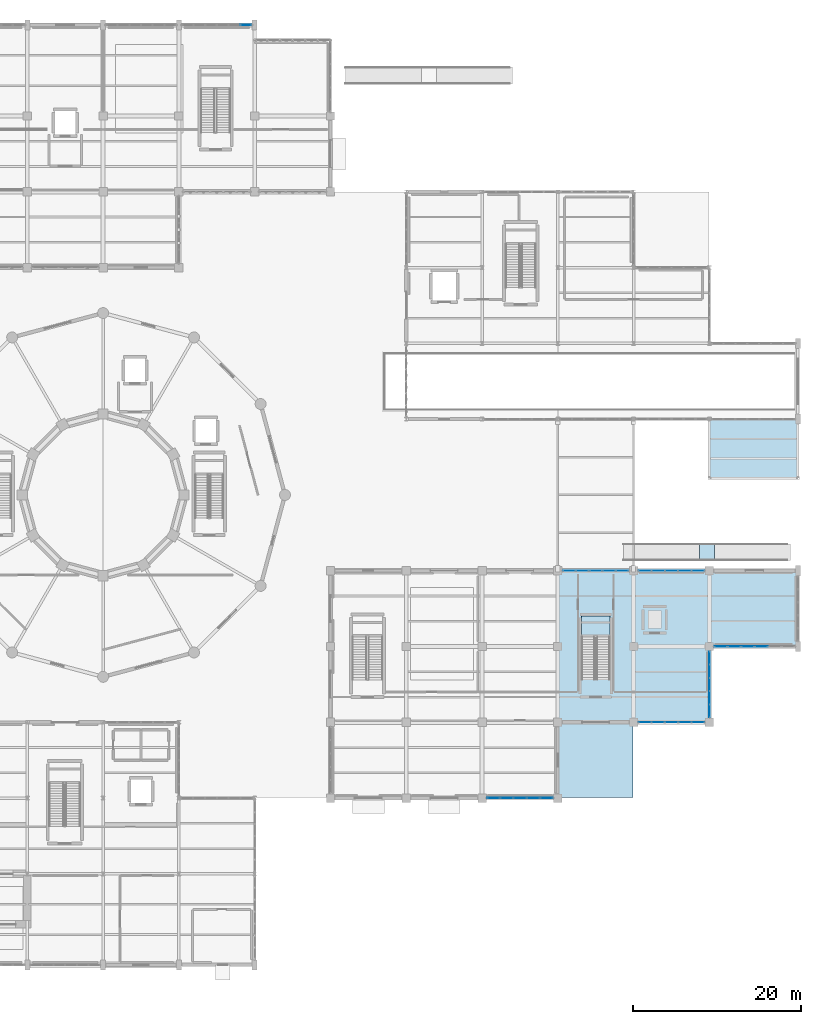
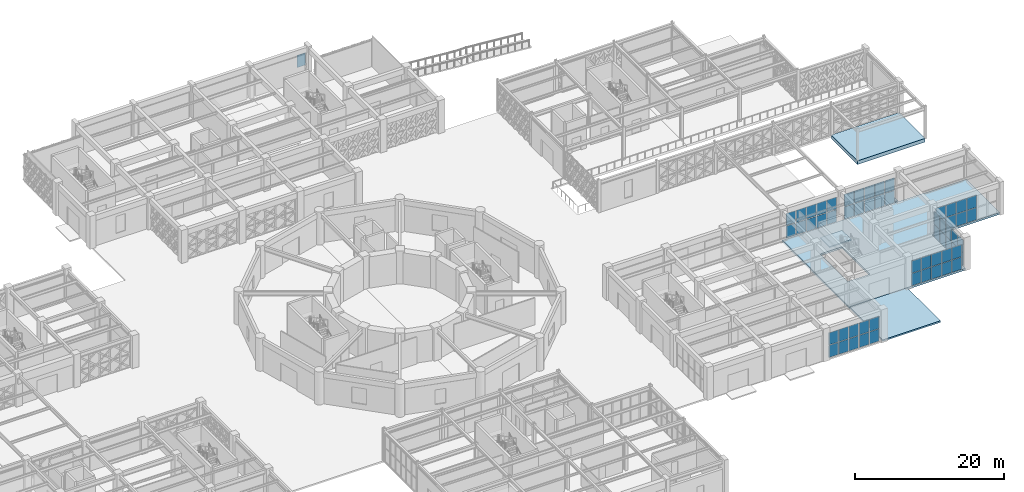
# One storey, part 110 of 140: 59 plates, 5 slabs, 9 elements without a shape of their own.
"""IFC4 building model written with IfcOpenShell, lengths in metres."""

from ifc_helpers import new_model, si_unit, direction, frame, origin, origin_2d, place, context, subcontext, project, spatial, polyline, rectangle, outline, extrude, material, layer, layer_set, type_object, element, aggregate, save


model = new_model("IFC4")

# Units and contexts
model_context = context("Model", 3, precision=1e-05, world=origin(), true_north=direction((0.0, 1.0)))
body_context = subcontext(model_context, "Body", "Model", "MODEL_VIEW")
ifc_project = project(units=[si_unit("LENGTHUNIT", "METRE"), si_unit("AREAUNIT", "SQUARE_METRE"), si_unit("VOLUMEUNIT", "CUBIC_METRE"), si_unit("PLANEANGLEUNIT", "RADIAN"), si_unit("MASSUNIT", "GRAM", prefix="KILO")], contexts=[model_context])

# Site, building, storey
site_placement = place(None, origin())
site = spatial("IfcSite", under=ifc_project, at=site_placement, CompositionType="ELEMENT")
building_placement = place(site_placement, origin())
building = spatial("IfcBuilding", under=site, at=building_placement, Name="Haizhuo Lancet Aquarium", CompositionType="ELEMENT")
storey_placement = place(building_placement, origin())
storey = spatial("IfcBuildingStorey", under=building, at=storey_placement, Name="L00", CompositionType="ELEMENT", Elevation=0.0)

# Curtain wall, plates
ifc_material_1 = material(Name="Aluminium 6063-T6", Category="aluminium")
curtain_wall_type_1 = type_object("IfcCurtainWallType", Name="CWO-9610x4220", PredefinedType="NOTDEFINED", material=ifc_material_1)
curtain_wall_1_placement = place(storey_placement, origin())
curtain_wall_1 = element("IfcCurtainWall", 1, at=curtain_wall_1_placement, inside=storey, type_object=curtain_wall_type_1, Name="L00 curtain wall CW-V3-L00-033", PredefinedType="NOTDEFINED")
ifc_material_2 = material(Name="Laminated Low-E Glass", Category="glass")
ifc_layer_1 = layer(ifc_material_2, 0.028076171875)
ifc_layer_set_1 = layer_set([ifc_layer_1], Name="Laminated Low-E Glass")
plate_type_1 = type_object("IfcPlateType", Name="CW-PNL-1", PredefinedType="CURTAIN_PANEL", material=ifc_layer_set_1)
plate_1_placement = place(storey_placement, frame((78.15087890625, -18.0, 0.080078125), z_axis=(0.0, 0.0, 1.0), x_axis=(-1.0, 0.0, 0.0)))
plate_1 = element("IfcPlate", 2, at=plate_1_placement, type_object=plate_type_1, Name="CWO-96x42 panel 3.1", PredefinedType="CURTAIN_PANEL", context=body_context, shape_type="SweptSolid", body=[
    extrude(rectangle(XDim=1.52197265625, YDim=0.028076171875, at=origin_2d()), origin(), (0.0, 0.0, 1.0), 1.989990234375),
])
plate_2_placement = place(storey_placement, frame((78.15087890625, -18.0, 2.14990234375), z_axis=(0.0, 0.0, 1.0), x_axis=(-1.0, 0.0, 0.0)))
plate_2 = element("IfcPlate", 3, at=plate_2_placement, type_object=plate_type_1, Name="CWO-96x42 panel 3.2", PredefinedType="CURTAIN_PANEL", context=body_context, shape_type="SweptSolid", body=[
    extrude(rectangle(XDim=1.52197265625, YDim=0.028076171875, at=origin_2d()), origin(), (0.0, 0.0, 1.0), 1.989990234375),
])
plate_3_placement = place(storey_placement, frame((76.549072265625, -18.0, 0.080078125), z_axis=(0.0, 0.0, 1.0), x_axis=(-1.0, 0.0, 0.0)))
plate_3 = element("IfcPlate", 4, at=plate_3_placement, type_object=plate_type_1, Name="CWO-96x42 panel 4.1", PredefinedType="CURTAIN_PANEL", context=body_context, shape_type="SweptSolid", body=[
    extrude(rectangle(XDim=1.52197265625, YDim=0.028076171875, at=origin_2d()), origin(), (0.0, 0.0, 1.0), 1.989990234375),
])
plate_4_placement = place(storey_placement, frame((76.549072265625, -18.0, 2.14990234375), z_axis=(0.0, 0.0, 1.0), x_axis=(-1.0, 0.0, 0.0)))
plate_4 = element("IfcPlate", 5, at=plate_4_placement, type_object=plate_type_1, Name="CWO-96x42 panel 4.2", PredefinedType="CURTAIN_PANEL", context=body_context, shape_type="SweptSolid", body=[
    extrude(rectangle(XDim=1.52197265625, YDim=0.028076171875, at=origin_2d()), origin(), (0.0, 0.0, 1.0), 1.989990234375),
])
plate_5_placement = place(storey_placement, frame((74.947998046875, -18.0, 0.080078125), z_axis=(0.0, 0.0, 1.0), x_axis=(-1.0, 0.0, 0.0)))
plate_5 = element("IfcPlate", 6, at=plate_5_placement, type_object=plate_type_1, Name="CWO-96x42 panel 5.1", PredefinedType="CURTAIN_PANEL", context=body_context, shape_type="SweptSolid", body=[
    extrude(rectangle(XDim=1.52197265625, YDim=0.028076171875, at=origin_2d()), origin(), (0.0, 0.0, 1.0), 1.989990234375),
])
plate_6_placement = place(storey_placement, frame((74.947998046875, -18.0, 2.14990234375), z_axis=(0.0, 0.0, 1.0), x_axis=(-1.0, 0.0, 0.0)))
plate_6 = element("IfcPlate", 7, at=plate_6_placement, type_object=plate_type_1, Name="CWO-96x42 panel 5.2", PredefinedType="CURTAIN_PANEL", context=body_context, shape_type="SweptSolid", body=[
    extrude(rectangle(XDim=1.52197265625, YDim=0.028076171875, at=origin_2d()), origin(), (0.0, 0.0, 1.0), 1.989990234375),
])
plate_7_placement = place(storey_placement, frame((73.365966796875, -18.0, 0.080078125), z_axis=(0.0, 0.0, 1.0), x_axis=(-1.0, 0.0, 0.0)))
plate_7 = element("IfcPlate", 8, at=plate_7_placement, type_object=plate_type_1, Name="CWO-96x42 panel 6.1", PredefinedType="CURTAIN_PANEL", context=body_context, shape_type="SweptSolid", body=[
    extrude(rectangle(XDim=1.48193359375, YDim=0.028076171875, at=origin_2d()), origin(), (0.0, 0.0, 1.0), 1.989990234375),
])
plate_8_placement = place(storey_placement, frame((73.365966796875, -18.0, 2.14990234375), z_axis=(0.0, 0.0, 1.0), x_axis=(-1.0, 0.0, 0.0)))
plate_8 = element("IfcPlate", 9, at=plate_8_placement, type_object=plate_type_1, Name="CWO-96x42 panel 6.2", PredefinedType="CURTAIN_PANEL", context=body_context, shape_type="SweptSolid", body=[
    extrude(rectangle(XDim=1.48193359375, YDim=0.028076171875, at=origin_2d()), origin(), (0.0, 0.0, 1.0), 1.989990234375),
])
aggregate(curtain_wall_1, [plate_1, plate_2, plate_3, plate_4, plate_5, plate_6, plate_7, plate_8])

curtain_wall_type_2 = type_object("IfcCurtainWallType", Name="CWO-7910x4220", PredefinedType="NOTDEFINED", material=ifc_material_1)
curtain_wall_2_placement = place(storey_placement, origin())
curtain_wall_2 = element("IfcCurtainWall", 10, at=curtain_wall_2_placement, inside=storey, type_object=curtain_wall_type_2, Name="L00 curtain wall CW-V3-L00-030", PredefinedType="NOTDEFINED")
ifc_layer_2 = layer(ifc_material_2, 0.033935546875)
ifc_layer_set_2 = layer_set([ifc_layer_2], Name="Laminated Low-E Glass")
plate_type_2 = type_object("IfcPlateType", Name="CW-PNL-2", PredefinedType="CURTAIN_PANEL", material=ifc_layer_set_2)
plate_9_placement = place(storey_placement, frame((55.35595703125, -9.0, 0.080078125), z_axis=(0.0, 0.0, 1.0), x_axis=(1.0, 0.0, 0.0)))
plate_9 = element("IfcPlate", 11, at=plate_9_placement, type_object=plate_type_2, Name="CWO-79x42 panel 1.1", PredefinedType="CURTAIN_PANEL", context=body_context, shape_type="SweptSolid", body=[
    extrude(rectangle(XDim=1.4619140625, YDim=0.033935546875, at=origin_2d()), origin(), (0.0, 0.0, 1.0), 1.989990234375),
])
plate_10_placement = place(storey_placement, frame((55.35595703125, -9.0, 2.14990234375), z_axis=(0.0, 0.0, 1.0), x_axis=(1.0, 0.0, 0.0)))
plate_10 = element("IfcPlate", 12, at=plate_10_placement, type_object=plate_type_2, Name="CWO-79x42 panel 1.2", PredefinedType="CURTAIN_PANEL", context=body_context, shape_type="SweptSolid", body=[
    extrude(rectangle(XDim=1.4619140625, YDim=0.033935546875, at=origin_2d()), origin(), (0.0, 0.0, 1.0), 1.989990234375),
])
plate_11_placement = place(storey_placement, frame((56.91796875, -9.0, 0.080078125), z_axis=(0.0, 0.0, 1.0), x_axis=(1.0, 0.0, 0.0)))
plate_11 = element("IfcPlate", 13, at=plate_11_placement, type_object=plate_type_2, Name="CWO-79x42 panel 2.1", PredefinedType="CURTAIN_PANEL", context=body_context, shape_type="SweptSolid", body=[
    extrude(rectangle(XDim=1.501953125, YDim=0.033935546875, at=origin_2d()), origin(), (0.0, 0.0, 1.0), 1.989990234375),
])
plate_12_placement = place(storey_placement, frame((56.91796875, -9.0, 2.14990234375), z_axis=(0.0, 0.0, 1.0), x_axis=(1.0, 0.0, 0.0)))
plate_12 = element("IfcPlate", 14, at=plate_12_placement, type_object=plate_type_2, Name="CWO-79x42 panel 2.2", PredefinedType="CURTAIN_PANEL", context=body_context, shape_type="SweptSolid", body=[
    extrude(rectangle(XDim=1.501953125, YDim=0.033935546875, at=origin_2d()), origin(), (0.0, 0.0, 1.0), 1.989990234375),
])
plate_13_placement = place(storey_placement, frame((58.5, -9.0, 0.080078125), z_axis=(0.0, 0.0, 1.0), x_axis=(1.0, 0.0, 0.0)))
plate_13 = element("IfcPlate", 15, at=plate_13_placement, type_object=plate_type_2, Name="CWO-79x42 panel 3.1", PredefinedType="CURTAIN_PANEL", context=body_context, shape_type="SweptSolid", body=[
    extrude(rectangle(XDim=1.501953125, YDim=0.033935546875, at=origin_2d()), origin(), (0.0, 0.0, 1.0), 1.989990234375),
])
plate_14_placement = place(storey_placement, frame((58.5, -9.0, 2.14990234375), z_axis=(0.0, 0.0, 1.0), x_axis=(1.0, 0.0, 0.0)))
plate_14 = element("IfcPlate", 16, at=plate_14_placement, type_object=plate_type_2, Name="CWO-79x42 panel 3.2", PredefinedType="CURTAIN_PANEL", context=body_context, shape_type="SweptSolid", body=[
    extrude(rectangle(XDim=1.501953125, YDim=0.033935546875, at=origin_2d()), origin(), (0.0, 0.0, 1.0), 1.989990234375),
])
plate_15_placement = place(storey_placement, frame((60.08203125, -9.0, 0.080078125), z_axis=(0.0, 0.0, 1.0), x_axis=(1.0, 0.0, 0.0)))
plate_15 = element("IfcPlate", 17, at=plate_15_placement, type_object=plate_type_2, Name="CWO-79x42 panel 4.1", PredefinedType="CURTAIN_PANEL", context=body_context, shape_type="SweptSolid", body=[
    extrude(rectangle(XDim=1.501953125, YDim=0.033935546875, at=origin_2d()), origin(), (0.0, 0.0, 1.0), 1.989990234375),
])
plate_16_placement = place(storey_placement, frame((60.08203125, -9.0, 2.14990234375), z_axis=(0.0, 0.0, 1.0), x_axis=(1.0, 0.0, 0.0)))
plate_16 = element("IfcPlate", 18, at=plate_16_placement, type_object=plate_type_2, Name="CWO-79x42 panel 4.2", PredefinedType="CURTAIN_PANEL", context=body_context, shape_type="SweptSolid", body=[
    extrude(rectangle(XDim=1.501953125, YDim=0.033935546875, at=origin_2d()), origin(), (0.0, 0.0, 1.0), 1.989990234375),
])
plate_17_placement = place(storey_placement, frame((61.64404296875, -9.0, 0.080078125), z_axis=(0.0, 0.0, 1.0), x_axis=(1.0, 0.0, 0.0)))
plate_17 = element("IfcPlate", 19, at=plate_17_placement, type_object=plate_type_2, Name="CWO-79x42 panel 5.1", PredefinedType="CURTAIN_PANEL", context=body_context, shape_type="SweptSolid", body=[
    extrude(rectangle(XDim=1.4619140625, YDim=0.033935546875, at=origin_2d()), origin(), (0.0, 0.0, 1.0), 1.989990234375),
])
plate_18_placement = place(storey_placement, frame((61.64404296875, -9.0, 2.14990234375), z_axis=(0.0, 0.0, 1.0), x_axis=(1.0, 0.0, 0.0)))
plate_18 = element("IfcPlate", 20, at=plate_18_placement, type_object=plate_type_2, Name="CWO-79x42 panel 5.2", PredefinedType="CURTAIN_PANEL", context=body_context, shape_type="SweptSolid", body=[
    extrude(rectangle(XDim=1.4619140625, YDim=0.033935546875, at=origin_2d()), origin(), (0.0, 0.0, 1.0), 1.989990234375),
])
aggregate(curtain_wall_2, [plate_9, plate_10, plate_11, plate_12, plate_13, plate_14, plate_15, plate_16, plate_17, plate_18])

curtain_wall_type_3 = type_object("IfcCurtainWallType", Name="CWO-7910x4270", PredefinedType="NOTDEFINED", material=ifc_material_1)
curtain_wall_3_placement = place(storey_placement, origin())
curtain_wall_3 = element("IfcCurtainWall", 21, at=curtain_wall_3_placement, inside=storey, type_object=curtain_wall_type_3, Name="L00 curtain wall CW-V3-L00-034", PredefinedType="NOTDEFINED")
plate_19_placement = place(storey_placement, frame((72.0, -19.35205078125, 0.0654296875), z_axis=(0.0, 0.0, 1.0), x_axis=(0.0, -1.0, 0.0)))
plate_19 = element("IfcPlate", 22, at=plate_19_placement, type_object=plate_type_2, Name="CWO-79x42 panel 1.1", PredefinedType="CURTAIN_PANEL", context=body_context, shape_type="SweptSolid", body=[
    extrude(rectangle(XDim=1.48388671875, YDim=0.033935546875, at=origin_2d()), origin(), (0.0, 0.0, 1.0), 2.037109375),
])
plate_20_placement = place(storey_placement, frame((72.0, -19.35205078125, 2.1669921875), z_axis=(0.0, 0.0, 1.0), x_axis=(0.0, -1.0, 0.0)))
plate_20 = element("IfcPlate", 23, at=plate_20_placement, type_object=plate_type_2, Name="CWO-79x42 panel 1.2", PredefinedType="CURTAIN_PANEL", context=body_context, shape_type="SweptSolid", body=[
    extrude(rectangle(XDim=1.48388671875, YDim=0.033935546875, at=origin_2d()), origin(), (0.0, 0.0, 1.0), 2.0380859375),
])
plate_21_placement = place(storey_placement, frame((72.0, -20.91796875, 0.0654296875), z_axis=(0.0, 0.0, 1.0), x_axis=(0.0, -1.0, 0.0)))
plate_21 = element("IfcPlate", 24, at=plate_21_placement, type_object=plate_type_2, Name="CWO-79x42 panel 2.1", PredefinedType="CURTAIN_PANEL", context=body_context, shape_type="SweptSolid", body=[
    extrude(rectangle(XDim=1.51708984375, YDim=0.033935546875, at=origin_2d()), origin(), (0.0, 0.0, 1.0), 2.037109375),
])
plate_22_placement = place(storey_placement, frame((72.0, -20.91796875, 2.1669921875), z_axis=(0.0, 0.0, 1.0), x_axis=(0.0, -1.0, 0.0)))
plate_22 = element("IfcPlate", 25, at=plate_22_placement, type_object=plate_type_2, Name="CWO-79x42 panel 2.2", PredefinedType="CURTAIN_PANEL", context=body_context, shape_type="SweptSolid", body=[
    extrude(rectangle(XDim=1.51708984375, YDim=0.033935546875, at=origin_2d()), origin(), (0.0, 0.0, 1.0), 2.0380859375),
])
plate_23_placement = place(storey_placement, frame((72.0, -22.5, 0.0654296875), z_axis=(0.0, 0.0, 1.0), x_axis=(0.0, -1.0, 0.0)))
plate_23 = element("IfcPlate", 26, at=plate_23_placement, type_object=plate_type_2, Name="CWO-79x42 panel 3.1", PredefinedType="CURTAIN_PANEL", context=body_context, shape_type="SweptSolid", body=[
    extrude(rectangle(XDim=1.51708984375, YDim=0.033935546875, at=origin_2d()), origin(), (0.0, 0.0, 1.0), 2.037109375),
])
plate_24_placement = place(storey_placement, frame((72.0, -22.5, 2.1669921875), z_axis=(0.0, 0.0, 1.0), x_axis=(0.0, -1.0, 0.0)))
plate_24 = element("IfcPlate", 27, at=plate_24_placement, type_object=plate_type_2, Name="CWO-79x42 panel 3.2", PredefinedType="CURTAIN_PANEL", context=body_context, shape_type="SweptSolid", body=[
    extrude(rectangle(XDim=1.51708984375, YDim=0.033935546875, at=origin_2d()), origin(), (0.0, 0.0, 1.0), 2.0380859375),
])
plate_25_placement = place(storey_placement, frame((72.0, -24.08203125, 0.0654296875), z_axis=(0.0, 0.0, 1.0), x_axis=(0.0, -1.0, 0.0)))
plate_25 = element("IfcPlate", 28, at=plate_25_placement, type_object=plate_type_2, Name="CWO-79x42 panel 4.1", PredefinedType="CURTAIN_PANEL", context=body_context, shape_type="SweptSolid", body=[
    extrude(rectangle(XDim=1.51708984375, YDim=0.033935546875, at=origin_2d()), origin(), (0.0, 0.0, 1.0), 2.037109375),
])
plate_26_placement = place(storey_placement, frame((72.0, -24.08203125, 2.1669921875), z_axis=(0.0, 0.0, 1.0), x_axis=(0.0, -1.0, 0.0)))
plate_26 = element("IfcPlate", 29, at=plate_26_placement, type_object=plate_type_2, Name="CWO-79x42 panel 4.2", PredefinedType="CURTAIN_PANEL", context=body_context, shape_type="SweptSolid", body=[
    extrude(rectangle(XDim=1.51708984375, YDim=0.033935546875, at=origin_2d()), origin(), (0.0, 0.0, 1.0), 2.0380859375),
])
plate_27_placement = place(storey_placement, frame((72.0, -25.64794921875, 0.0654296875), z_axis=(0.0, 0.0, 1.0), x_axis=(0.0, -1.0, 0.0)))
plate_27 = element("IfcPlate", 30, at=plate_27_placement, type_object=plate_type_2, Name="CWO-79x42 panel 5.1", PredefinedType="CURTAIN_PANEL", context=body_context, shape_type="SweptSolid", body=[
    extrude(rectangle(XDim=1.48388671875, YDim=0.033935546875, at=origin_2d()), origin(), (0.0, 0.0, 1.0), 2.037109375),
])
plate_28_placement = place(storey_placement, frame((72.0, -25.64794921875, 2.1669921875), z_axis=(0.0, 0.0, 1.0), x_axis=(0.0, -1.0, 0.0)))
plate_28 = element("IfcPlate", 31, at=plate_28_placement, type_object=plate_type_2, Name="CWO-79x42 panel 5.2", PredefinedType="CURTAIN_PANEL", context=body_context, shape_type="SweptSolid", body=[
    extrude(rectangle(XDim=1.48388671875, YDim=0.033935546875, at=origin_2d()), origin(), (0.0, 0.0, 1.0), 2.0380859375),
])
aggregate(curtain_wall_3, [plate_19, plate_20, plate_21, plate_22, plate_23, plate_24, plate_25, plate_26, plate_27, plate_28])

curtain_wall_4_placement = place(storey_placement, origin())
curtain_wall_4 = element("IfcCurtainWall", 32, at=curtain_wall_4_placement, inside=storey, type_object=curtain_wall_type_2, Name="L00 curtain wall CW-V3-L00-031", PredefinedType="NOTDEFINED")
ifc_layer_3 = layer(ifc_material_2, 0.0419921875)
ifc_layer_set_3 = layer_set([ifc_layer_3], Name="Laminated Low-E Glass")
plate_type_3 = type_object("IfcPlateType", Name="CW-PNL-3", PredefinedType="CURTAIN_PANEL", material=ifc_layer_set_3)
plate_29_placement = place(storey_placement, frame((64.35205078125, -9.0, 0.06494140625), z_axis=(0.0, 0.0, 1.0), x_axis=(1.0, 0.0, 0.0)))
plate_29 = element("IfcPlate", 33, at=plate_29_placement, type_object=plate_type_3, Name="CWO-79x42 panel 1.1", PredefinedType="CURTAIN_PANEL", context=body_context, shape_type="SweptSolid", body=[
    extrude(rectangle(XDim=1.48388671875, YDim=0.0419921875, at=origin_2d()), origin(), (0.0, 0.0, 1.0), 2.011962890625),
])
plate_30_placement = place(storey_placement, frame((64.35205078125, -9.0, 2.142578125), z_axis=(0.0, 0.0, 1.0), x_axis=(1.0, 0.0, 0.0)))
plate_30 = element("IfcPlate", 34, at=plate_30_placement, type_object=plate_type_3, Name="CWO-79x42 panel 1.2", PredefinedType="CURTAIN_PANEL", context=body_context, shape_type="SweptSolid", body=[
    extrude(rectangle(XDim=1.48388671875, YDim=0.0419921875, at=origin_2d()), origin(), (0.0, 0.0, 1.0), 2.012939453125),
])
plate_31_placement = place(storey_placement, frame((65.91796875, -9.0, 0.06494140625), z_axis=(0.0, 0.0, 1.0), x_axis=(1.0, 0.0, 0.0)))
plate_31 = element("IfcPlate", 35, at=plate_31_placement, type_object=plate_type_3, Name="CWO-79x42 panel 2.1", PredefinedType="CURTAIN_PANEL", context=body_context, shape_type="SweptSolid", body=[
    extrude(rectangle(XDim=1.51708984375, YDim=0.0419921875, at=origin_2d()), origin(), (0.0, 0.0, 1.0), 2.011962890625),
])
plate_32_placement = place(storey_placement, frame((65.91796875, -9.0, 2.142578125), z_axis=(0.0, 0.0, 1.0), x_axis=(1.0, 0.0, 0.0)))
plate_32 = element("IfcPlate", 36, at=plate_32_placement, type_object=plate_type_3, Name="CWO-79x42 panel 2.2", PredefinedType="CURTAIN_PANEL", context=body_context, shape_type="SweptSolid", body=[
    extrude(rectangle(XDim=1.51708984375, YDim=0.0419921875, at=origin_2d()), origin(), (0.0, 0.0, 1.0), 2.012939453125),
])
plate_33_placement = place(storey_placement, frame((67.5, -9.0, 0.06494140625), z_axis=(0.0, 0.0, 1.0), x_axis=(1.0, 0.0, 0.0)))
plate_33 = element("IfcPlate", 37, at=plate_33_placement, type_object=plate_type_3, Name="CWO-79x42 panel 3.1", PredefinedType="CURTAIN_PANEL", context=body_context, shape_type="SweptSolid", body=[
    extrude(rectangle(XDim=1.51708984375, YDim=0.0419921875, at=origin_2d()), origin(), (0.0, 0.0, 1.0), 2.011962890625),
])
plate_34_placement = place(storey_placement, frame((67.5, -9.0, 2.142578125), z_axis=(0.0, 0.0, 1.0), x_axis=(1.0, 0.0, 0.0)))
plate_34 = element("IfcPlate", 38, at=plate_34_placement, type_object=plate_type_3, Name="CWO-79x42 panel 3.2", PredefinedType="CURTAIN_PANEL", context=body_context, shape_type="SweptSolid", body=[
    extrude(rectangle(XDim=1.51708984375, YDim=0.0419921875, at=origin_2d()), origin(), (0.0, 0.0, 1.0), 2.012939453125),
])
plate_35_placement = place(storey_placement, frame((69.08203125, -9.0, 0.06494140625), z_axis=(0.0, 0.0, 1.0), x_axis=(1.0, 0.0, 0.0)))
plate_35 = element("IfcPlate", 39, at=plate_35_placement, type_object=plate_type_3, Name="CWO-79x42 panel 4.1", PredefinedType="CURTAIN_PANEL", context=body_context, shape_type="SweptSolid", body=[
    extrude(rectangle(XDim=1.51708984375, YDim=0.0419921875, at=origin_2d()), origin(), (0.0, 0.0, 1.0), 2.011962890625),
])
plate_36_placement = place(storey_placement, frame((69.08203125, -9.0, 2.142578125), z_axis=(0.0, 0.0, 1.0), x_axis=(1.0, 0.0, 0.0)))
plate_36 = element("IfcPlate", 40, at=plate_36_placement, type_object=plate_type_3, Name="CWO-79x42 panel 4.2", PredefinedType="CURTAIN_PANEL", context=body_context, shape_type="SweptSolid", body=[
    extrude(rectangle(XDim=1.51708984375, YDim=0.0419921875, at=origin_2d()), origin(), (0.0, 0.0, 1.0), 2.012939453125),
])
plate_37_placement = place(storey_placement, frame((70.64794921875, -9.0, 0.06494140625), z_axis=(0.0, 0.0, 1.0), x_axis=(1.0, 0.0, 0.0)))
plate_37 = element("IfcPlate", 41, at=plate_37_placement, type_object=plate_type_3, Name="CWO-79x42 panel 5.1", PredefinedType="CURTAIN_PANEL", context=body_context, shape_type="SweptSolid", body=[
    extrude(rectangle(XDim=1.48388671875, YDim=0.0419921875, at=origin_2d()), origin(), (0.0, 0.0, 1.0), 2.011962890625),
])
plate_38_placement = place(storey_placement, frame((70.64794921875, -9.0, 2.142578125), z_axis=(0.0, 0.0, 1.0), x_axis=(1.0, 0.0, 0.0)))
plate_38 = element("IfcPlate", 42, at=plate_38_placement, type_object=plate_type_3, Name="CWO-79x42 panel 5.2", PredefinedType="CURTAIN_PANEL", context=body_context, shape_type="SweptSolid", body=[
    extrude(rectangle(XDim=1.48388671875, YDim=0.0419921875, at=origin_2d()), origin(), (0.0, 0.0, 1.0), 2.012939453125),
])
aggregate(curtain_wall_4, [plate_29, plate_30, plate_31, plate_32, plate_33, plate_34, plate_35, plate_36, plate_37, plate_38])

curtain_wall_5_placement = place(storey_placement, origin())
curtain_wall_5 = element("IfcCurtainWall", 43, at=curtain_wall_5_placement, inside=storey, type_object=curtain_wall_type_2, Name="L00 curtain wall CW-V3-L00-035", PredefinedType="NOTDEFINED")
plate_39_placement = place(storey_placement, frame((70.64501953125, -27.0, 0.075439453125), z_axis=(0.0, 0.0, 1.0), x_axis=(-1.0, 0.0, 0.0)))
plate_39 = element("IfcPlate", 44, at=plate_39_placement, type_object=plate_type_3, Name="CWO-79x42 panel 1.1", PredefinedType="CURTAIN_PANEL", context=body_context, shape_type="SweptSolid", body=[
    extrude(rectangle(XDim=1.468994140625, YDim=0.0419921875, at=origin_2d()), origin(), (0.0, 0.0, 1.0), 1.9970703125),
])
plate_40_placement = place(storey_placement, frame((70.64501953125, -27.0, 2.14697265625), z_axis=(0.0, 0.0, 1.0), x_axis=(-1.0, 0.0, 0.0)))
plate_40 = element("IfcPlate", 45, at=plate_40_placement, type_object=plate_type_3, Name="CWO-79x42 panel 1.2", PredefinedType="CURTAIN_PANEL", context=body_context, shape_type="SweptSolid", body=[
    extrude(rectangle(XDim=1.468994140625, YDim=0.0419921875, at=origin_2d()), origin(), (0.0, 0.0, 1.0), 1.998046875),
])
plate_41_placement = place(storey_placement, frame((69.08203125, -27.0, 0.075439453125), z_axis=(0.0, 0.0, 1.0), x_axis=(-1.0, 0.0, 0.0)))
plate_41 = element("IfcPlate", 46, at=plate_41_placement, type_object=plate_type_3, Name="CWO-79x42 panel 2.1", PredefinedType="CURTAIN_PANEL", context=body_context, shape_type="SweptSolid", body=[
    extrude(rectangle(XDim=1.507080078125, YDim=0.0419921875, at=origin_2d()), origin(), (0.0, 0.0, 1.0), 1.9970703125),
])
plate_42_placement = place(storey_placement, frame((69.08203125, -27.0, 2.14697265625), z_axis=(0.0, 0.0, 1.0), x_axis=(-1.0, 0.0, 0.0)))
plate_42 = element("IfcPlate", 47, at=plate_42_placement, type_object=plate_type_3, Name="CWO-79x42 panel 2.2", PredefinedType="CURTAIN_PANEL", context=body_context, shape_type="SweptSolid", body=[
    extrude(rectangle(XDim=1.507080078125, YDim=0.0419921875, at=origin_2d()), origin(), (0.0, 0.0, 1.0), 1.998046875),
])
plate_43_placement = place(storey_placement, frame((67.5, -27.0, 0.075439453125), z_axis=(0.0, 0.0, 1.0), x_axis=(-1.0, 0.0, 0.0)))
plate_43 = element("IfcPlate", 48, at=plate_43_placement, type_object=plate_type_3, Name="CWO-79x42 panel 3.1", PredefinedType="CURTAIN_PANEL", context=body_context, shape_type="SweptSolid", body=[
    extrude(rectangle(XDim=1.507080078125, YDim=0.0419921875, at=origin_2d()), origin(), (0.0, 0.0, 1.0), 1.9970703125),
])
plate_44_placement = place(storey_placement, frame((67.5, -27.0, 2.14697265625), z_axis=(0.0, 0.0, 1.0), x_axis=(-1.0, 0.0, 0.0)))
plate_44 = element("IfcPlate", 49, at=plate_44_placement, type_object=plate_type_3, Name="CWO-79x42 panel 3.2", PredefinedType="CURTAIN_PANEL", context=body_context, shape_type="SweptSolid", body=[
    extrude(rectangle(XDim=1.507080078125, YDim=0.0419921875, at=origin_2d()), origin(), (0.0, 0.0, 1.0), 1.998046875),
])
plate_45_placement = place(storey_placement, frame((65.91796875, -27.0, 0.075439453125), z_axis=(0.0, 0.0, 1.0), x_axis=(-1.0, 0.0, 0.0)))
plate_45 = element("IfcPlate", 50, at=plate_45_placement, type_object=plate_type_3, Name="CWO-79x42 panel 4.1", PredefinedType="CURTAIN_PANEL", context=body_context, shape_type="SweptSolid", body=[
    extrude(rectangle(XDim=1.507080078125, YDim=0.0419921875, at=origin_2d()), origin(), (0.0, 0.0, 1.0), 1.9970703125),
])
plate_46_placement = place(storey_placement, frame((65.91796875, -27.0, 2.14697265625), z_axis=(0.0, 0.0, 1.0), x_axis=(-1.0, 0.0, 0.0)))
plate_46 = element("IfcPlate", 51, at=plate_46_placement, type_object=plate_type_3, Name="CWO-79x42 panel 4.2", PredefinedType="CURTAIN_PANEL", context=body_context, shape_type="SweptSolid", body=[
    extrude(rectangle(XDim=1.507080078125, YDim=0.0419921875, at=origin_2d()), origin(), (0.0, 0.0, 1.0), 1.998046875),
])
plate_47_placement = place(storey_placement, frame((64.35498046875, -27.0, 0.075439453125), z_axis=(0.0, 0.0, 1.0), x_axis=(-1.0, 0.0, 0.0)))
plate_47 = element("IfcPlate", 52, at=plate_47_placement, type_object=plate_type_3, Name="CWO-79x42 panel 5.1", PredefinedType="CURTAIN_PANEL", context=body_context, shape_type="SweptSolid", body=[
    extrude(rectangle(XDim=1.469970703125, YDim=0.0419921875, at=origin_2d()), origin(), (0.0, 0.0, 1.0), 1.9970703125),
])
plate_48_placement = place(storey_placement, frame((64.35498046875, -27.0, 2.14697265625), z_axis=(0.0, 0.0, 1.0), x_axis=(-1.0, 0.0, 0.0)))
plate_48 = element("IfcPlate", 53, at=plate_48_placement, type_object=plate_type_3, Name="CWO-79x42 panel 5.2", PredefinedType="CURTAIN_PANEL", context=body_context, shape_type="SweptSolid", body=[
    extrude(rectangle(XDim=1.469970703125, YDim=0.0419921875, at=origin_2d()), origin(), (0.0, 0.0, 1.0), 1.998046875),
])
aggregate(curtain_wall_5, [plate_39, plate_40, plate_41, plate_42, plate_43, plate_44, plate_45, plate_46, plate_47, plate_48])

# Curtain wall, plate
curtain_wall_type_4 = type_object("IfcCurtainWallType", Name="CWD-8310x4220", PredefinedType="NOTDEFINED", material=ifc_material_1)
curtain_wall_6_placement = place(storey_placement, origin())
curtain_wall_6 = element("IfcCurtainWall", 54, at=curtain_wall_6_placement, inside=storey, type_object=curtain_wall_type_4, Name="L00 curtain wall CW-V5-L00-119", PredefinedType="NOTDEFINED")
plate_49_placement = place(storey_placement, frame((16.944091796875, 55.800048828125, 2.14697265625), z_axis=(0.0, 0.0, 1.0), x_axis=(1.0, 0.0, 0.0)))
plate_49 = element("IfcPlate", 55, at=plate_49_placement, type_object=plate_type_3, Name="CWD-83x42 panel 6.2", PredefinedType="CURTAIN_PANEL", context=body_context, shape_type="SweptSolid", body=[
    extrude(rectangle(XDim=1.27294921875, YDim=0.0419921875, at=origin_2d()), origin(), (0.0, 0.0, 1.0), 1.998046875),
])
aggregate(curtain_wall_6, [plate_49])

# Curtain wall, plates
curtain_wall_7_placement = place(storey_placement, origin())
curtain_wall_7 = element("IfcCurtainWall", 56, at=curtain_wall_7_placement, inside=storey, type_object=curtain_wall_type_2, Name="L00 curtain wall CW-V3-L00-036", PredefinedType="NOTDEFINED")
ifc_layer_4 = layer(ifc_material_2, 0.052001953125)
ifc_layer_set_4 = layer_set([ifc_layer_4], Name="Laminated Low-E Glass")
plate_type_4 = type_object("IfcPlateType", Name="CW-PNL-4", PredefinedType="CURTAIN_PANEL", material=ifc_layer_set_4)
plate_50_placement = place(storey_placement, frame((52.64404296875, -36.0, 0.080078125), z_axis=(0.0, 0.0, 1.0), x_axis=(-1.0, 0.0, 0.0)))
plate_50 = element("IfcPlate", 57, at=plate_50_placement, type_object=plate_type_4, Name="CWO-79x42 panel 1.1", PredefinedType="CURTAIN_PANEL", context=body_context, shape_type="SweptSolid", body=[
    extrude(rectangle(XDim=1.4619140625, YDim=0.052001953125, at=origin_2d()), origin(), (0.0, 0.0, 1.0), 1.989990234375),
])
plate_51_placement = place(storey_placement, frame((52.64404296875, -36.0, 2.14990234375), z_axis=(0.0, 0.0, 1.0), x_axis=(-1.0, 0.0, 0.0)))
plate_51 = element("IfcPlate", 58, at=plate_51_placement, type_object=plate_type_4, Name="CWO-79x42 panel 1.2", PredefinedType="CURTAIN_PANEL", context=body_context, shape_type="SweptSolid", body=[
    extrude(rectangle(XDim=1.4619140625, YDim=0.052001953125, at=origin_2d()), origin(), (0.0, 0.0, 1.0), 1.989990234375),
])
plate_52_placement = place(storey_placement, frame((51.08203125, -36.0, 0.080078125), z_axis=(0.0, 0.0, 1.0), x_axis=(-1.0, 0.0, 0.0)))
plate_52 = element("IfcPlate", 59, at=plate_52_placement, type_object=plate_type_4, Name="CWO-79x42 panel 2.1", PredefinedType="CURTAIN_PANEL", context=body_context, shape_type="SweptSolid", body=[
    extrude(rectangle(XDim=1.501953125, YDim=0.052001953125, at=origin_2d()), origin(), (0.0, 0.0, 1.0), 1.989990234375),
])
plate_53_placement = place(storey_placement, frame((51.08203125, -36.0, 2.14990234375), z_axis=(0.0, 0.0, 1.0), x_axis=(-1.0, 0.0, 0.0)))
plate_53 = element("IfcPlate", 60, at=plate_53_placement, type_object=plate_type_4, Name="CWO-79x42 panel 2.2", PredefinedType="CURTAIN_PANEL", context=body_context, shape_type="SweptSolid", body=[
    extrude(rectangle(XDim=1.501953125, YDim=0.052001953125, at=origin_2d()), origin(), (0.0, 0.0, 1.0), 1.989990234375),
])
plate_54_placement = place(storey_placement, frame((49.5, -36.0, 0.080078125), z_axis=(0.0, 0.0, 1.0), x_axis=(-1.0, 0.0, 0.0)))
plate_54 = element("IfcPlate", 61, at=plate_54_placement, type_object=plate_type_4, Name="CWO-79x42 panel 3.1", PredefinedType="CURTAIN_PANEL", context=body_context, shape_type="SweptSolid", body=[
    extrude(rectangle(XDim=1.501953125, YDim=0.052001953125, at=origin_2d()), origin(), (0.0, 0.0, 1.0), 1.989990234375),
])
plate_55_placement = place(storey_placement, frame((49.5, -36.0, 2.14990234375), z_axis=(0.0, 0.0, 1.0), x_axis=(-1.0, 0.0, 0.0)))
plate_55 = element("IfcPlate", 62, at=plate_55_placement, type_object=plate_type_4, Name="CWO-79x42 panel 3.2", PredefinedType="CURTAIN_PANEL", context=body_context, shape_type="SweptSolid", body=[
    extrude(rectangle(XDim=1.501953125, YDim=0.052001953125, at=origin_2d()), origin(), (0.0, 0.0, 1.0), 1.989990234375),
])
plate_56_placement = place(storey_placement, frame((47.91796875, -36.0, 0.080078125), z_axis=(0.0, 0.0, 1.0), x_axis=(-1.0, 0.0, 0.0)))
plate_56 = element("IfcPlate", 63, at=plate_56_placement, type_object=plate_type_4, Name="CWO-79x42 panel 4.1", PredefinedType="CURTAIN_PANEL", context=body_context, shape_type="SweptSolid", body=[
    extrude(rectangle(XDim=1.501953125, YDim=0.052001953125, at=origin_2d()), origin(), (0.0, 0.0, 1.0), 1.989990234375),
])
plate_57_placement = place(storey_placement, frame((47.91796875, -36.0, 2.14990234375), z_axis=(0.0, 0.0, 1.0), x_axis=(-1.0, 0.0, 0.0)))
plate_57 = element("IfcPlate", 64, at=plate_57_placement, type_object=plate_type_4, Name="CWO-79x42 panel 4.2", PredefinedType="CURTAIN_PANEL", context=body_context, shape_type="SweptSolid", body=[
    extrude(rectangle(XDim=1.501953125, YDim=0.052001953125, at=origin_2d()), origin(), (0.0, 0.0, 1.0), 1.989990234375),
])
plate_58_placement = place(storey_placement, frame((46.35595703125, -36.0, 0.080078125), z_axis=(0.0, 0.0, 1.0), x_axis=(-1.0, 0.0, 0.0)))
plate_58 = element("IfcPlate", 65, at=plate_58_placement, type_object=plate_type_4, Name="CWO-79x42 panel 5.1", PredefinedType="CURTAIN_PANEL", context=body_context, shape_type="SweptSolid", body=[
    extrude(rectangle(XDim=1.4619140625, YDim=0.052001953125, at=origin_2d()), origin(), (0.0, 0.0, 1.0), 1.989990234375),
])
plate_59_placement = place(storey_placement, frame((46.35595703125, -36.0, 2.14990234375), z_axis=(0.0, 0.0, 1.0), x_axis=(-1.0, 0.0, 0.0)))
plate_59 = element("IfcPlate", 66, at=plate_59_placement, type_object=plate_type_4, Name="CWO-79x42 panel 5.2", PredefinedType="CURTAIN_PANEL", context=body_context, shape_type="SweptSolid", body=[
    extrude(rectangle(XDim=1.4619140625, YDim=0.052001953125, at=origin_2d()), origin(), (0.0, 0.0, 1.0), 1.989990234375),
])
aggregate(curtain_wall_7, [plate_50, plate_51, plate_52, plate_53, plate_54, plate_55, plate_56, plate_57, plate_58, plate_59])

# Slab
ifc_material_3 = material(Name="Concrete C45/55", Category="concrete")
ifc_layer_5 = layer(ifc_material_3, 0.60009765625)
ifc_layer_set_5 = layer_set([ifc_layer_5], Name="Concrete C45/55")
slab_type_1 = type_object("IfcSlabType", Name="SLB-BASE-600", PredefinedType="BASESLAB", material=ifc_layer_set_5)
slab_1_placement = place(storey_placement, frame((0.0, 0.0, -0.60009765625)))
element("IfcSlab", 67, at=slab_1_placement, inside=storey, type_object=slab_type_1, Name="L00 structural slab SL-L00-V7-APRON-01", PredefinedType="BASESLAB", context=body_context, shape_type="SweptSolid", body=[
    extrude(outline(polyline([(72.0, 2.0), (82.5, 2.0), (82.5, 9.0), (72.0, 9.0), (72.0, 2.0)])), origin(), (0.0, 0.0, 1.0), 0.60009765625),
])

# Stair, slab
ifc_material_4 = material(Name="Concrete C40/50", Category="concrete")
stair_type = type_object("IfcStairType", Name="STR-HT-1600-54", PredefinedType="HALF_TURN_STAIR", material=ifc_material_4)
stair_placement = place(storey_placement, origin())
stair = element("IfcStair", 68, at=stair_placement, inside=storey, type_object=stair_type, Name="L00 enclosed exit stair ST-05", PredefinedType="HALF_TURN_STAIR")
ifc_layer_6 = layer(ifc_material_4, 0.199951171875)
ifc_layer_set_6 = layer_set([ifc_layer_6], Name="Concrete C40/50")
slab_type_2 = type_object("IfcSlabType", Name="SLB-LND-1600", PredefinedType="LANDING", material=ifc_layer_set_6)
slab_2_placement = place(storey_placement, frame((0.0, 0.0, 2.5)))
slab_2 = element("IfcSlab", 69, at=slab_2_placement, type_object=slab_type_2, Name="ST-15 landing 1", PredefinedType="LANDING", context=body_context, shape_type="SweptSolid", body=[
    extrude(outline(polyline([(60.199951171875, -16.85009765625), (60.199951171875, -14.35009765625), (56.800048828125, -14.35009765625), (56.800048828125, -16.85009765625), (60.199951171875, -16.85009765625)])), origin(), (0.0, 0.0, 1.0), 0.199951171875),
])
aggregate(stair, [slab_2])

# Slabs
ifc_layer_7 = layer(ifc_material_4, 0.300048828125)
ifc_layer_set_7 = layer_set([ifc_layer_7], Name="Concrete C40/50")
slab_type_3 = type_object("IfcSlabType", Name="SLB-PLINTH-300", PredefinedType="FLOOR", material=ifc_layer_set_7)
slab_3_placement = place(storey_placement, frame((0.0, 0.0, -0.300048828125)))
element("IfcSlab", 70, at=slab_3_placement, inside=storey, type_object=slab_type_3, Name="L00 structural slab SL-L00-V3-02", PredefinedType="FLOOR", context=body_context, shape_type="SweptSolid", body=[
    extrude(outline(polyline([(54.0, -9.0), (54.0, -27.0), (72.0, -27.0), (72.0, -18.0), (82.5, -18.0), (82.5, -9.0), (54.0, -9.0)]), holes=[polyline([(60.199951171875, -21.77001953125), (60.199951171875, -14.35009765625), (56.800048828125, -14.35009765625), (56.800048828125, -21.77001953125), (60.199951171875, -21.77001953125)])]), origin(), (0.0, 0.0, 1.0), 0.300048828125),
])
ifc_material_5 = material(Name="Shandong Grey Limestone Ashlar", Category="masonry")
slab_type_4 = type_object("IfcSlabType", Name="SLB-PV-200", PredefinedType="BASESLAB", material=ifc_material_5)
slab_4_placement = place(storey_placement, frame((0.0, 0.0, -0.25)))
element("IfcSlab", 71, at=slab_4_placement, inside=storey, type_object=slab_type_4, material=ifc_material_5, Name="Central cloister court and public passage stone paving 16", PredefinedType="BASESLAB", context=body_context, shape_type="SweptSolid", body=[
    extrude(outline(polyline([(62.949951171875, -35.949951171875), (62.949951171875, -27.02001953125), (54.02001953125, -27.02001953125), (54.02001953125, -35.949951171875), (62.949951171875, -35.949951171875)])), origin(), (0.0, 0.0, 1.0), 0.25),
])

# Ramp, slab
ramp_type = type_object("IfcRampType", Name="RMP-STR", PredefinedType="STRAIGHT_RUN_RAMP", material=ifc_material_4)
ramp_placement = place(storey_placement, origin())
ramp = element("IfcRamp", 72, at=ramp_placement, inside=storey, type_object=ramp_type, material=ifc_material_4, Name="East Avenue Accessible Plinth Ramp RMP-02", PredefinedType="STRAIGHT_RUN_RAMP")
slab_type_5 = type_object("IfcSlabType", Name="SLB-RMP-LND-200", PredefinedType="LANDING", material=ifc_material_4)
slab_5_placement = place(storey_placement, frame((0.0, 0.0, -0.949951171875)))
slab_5 = element("IfcSlab", 73, at=slab_5_placement, type_object=slab_type_5, material=ifc_material_4, Name="East Avenue Accessible Plinth Ramp RMP-02 landing", PredefinedType="LANDING", context=body_context, shape_type="SweptSolid", body=[
    extrude(outline(polyline([(70.800048828125, -7.800048828125), (72.60009765625, -7.800048828125), (72.60009765625, -5.800048828125), (70.800048828125, -5.800048828125), (70.800048828125, -7.800048828125)])), origin(), (0.0, 0.0, 1.0), 0.199951171875),
])
aggregate(ramp, [slab_5])

save(model, "model.ifc")
